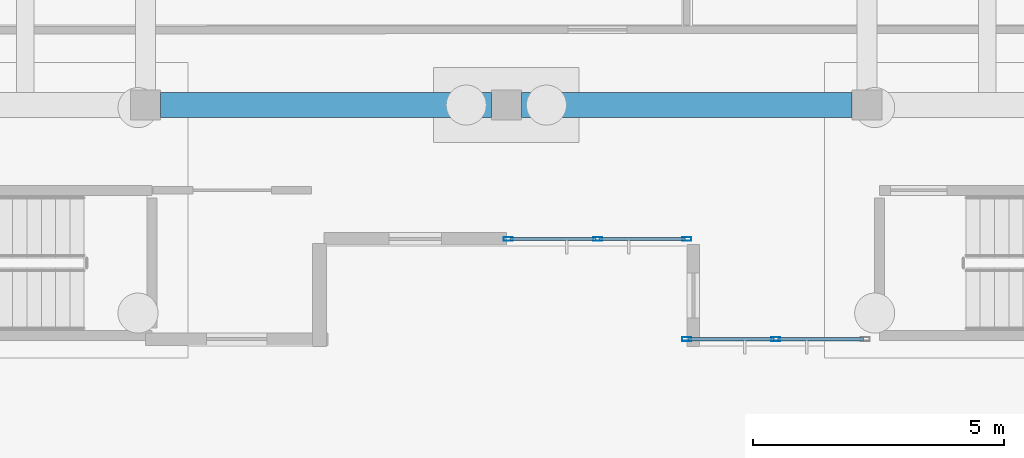
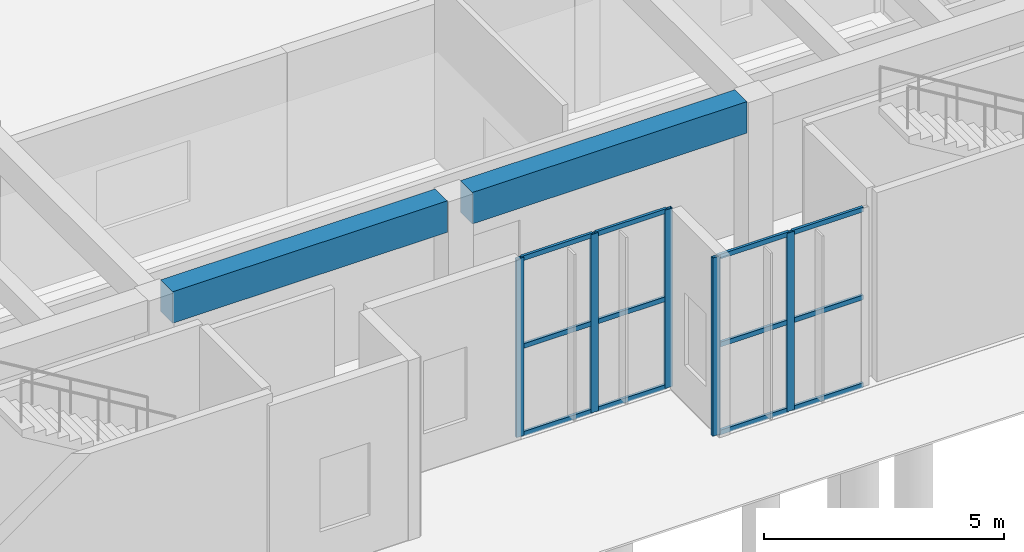
# One storey, part 35 of 155: 17 members, 2 beams, 2 elements without a shape of their own.
"""IFC4 building model written with IfcOpenShell, lengths in metres."""

from ifc_helpers import new_model, si_unit, direction, frame, origin, origin_2d, place, context, subcontext, project, spatial, rectangle, hollow_rectangle, extrude, material, material_profile, profile_set, type_object, element, aggregate, save


model = new_model("IFC4")

# Units and contexts
model_context = context("Model", 3, precision=1e-05, world=origin(), true_north=direction((0.0, 1.0)))
body_context = subcontext(model_context, "Body", "Model", "MODEL_VIEW")
ifc_project = project(units=[si_unit("LENGTHUNIT", "METRE"), si_unit("AREAUNIT", "SQUARE_METRE"), si_unit("VOLUMEUNIT", "CUBIC_METRE"), si_unit("PLANEANGLEUNIT", "RADIAN"), si_unit("MASSUNIT", "GRAM", prefix="KILO")], contexts=[model_context])

# Site, building, storey
site_placement = place(None, origin())
site = spatial("IfcSite", under=ifc_project, at=site_placement, CompositionType="ELEMENT")
building_placement = place(site_placement, origin())
building = spatial("IfcBuilding", under=site, at=building_placement, Name="Bramvelor Terrace Health Centre", CompositionType="ELEMENT")
storey_placement = place(building_placement, origin())
storey = spatial("IfcBuildingStorey", under=building, at=storey_placement, Name="L01", CompositionType="ELEMENT", Elevation=0.0)

# Beams
ifc_material_1 = material(Name="Concrete C40/50", Category="concrete")
ifc_material_profile_1 = material_profile(ifc_material_1, rectangle(XDim=0.5, YDim=0.800048828125, at=origin_2d()), Name="RC 500x800")
ifc_profile_set_1 = profile_set([ifc_material_profile_1], Name="Concrete C40/50")
beam_type = type_object("IfcBeamType", Name="BM-RC-G800", PredefinedType="BEAM", material=ifc_profile_set_1)
for number, where, z_axis, x_axis, name in (
    (1, (65.10009765625, 7.199951171875, 4.215087890625), (1.0, 0.0, 0.0), (0.0, 1.0, 0.0), "L01 Floor Girder"),
    (2, (72.300048828125, 7.199951171875, 4.215087890625), (1.0, 0.0, 0.0), (0.0, 1.0, 0.0), "L01 Floor Girder"),
):
    element("IfcBeam", number, at=place(storey_placement, frame(where, z_axis=z_axis, x_axis=x_axis)), inside=storey, type_object=beam_type, Name=name, PredefinedType="BEAM", context=body_context, shape_type="SweptSolid", body=[
        extrude(rectangle(XDim=0.5, YDim=0.800048828125, at=origin_2d()), origin(), (0.0, 0.0, 1.0), 6.599853515625),
    ])

# Curtain wall, members
ifc_material_2 = material(Name="Anodized aluminium and double low-E glass", Category="aluminium")
curtain_wall_type = type_object("IfcCurtainWallType", Name="CW-SYS-08", PredefinedType="NOTDEFINED", material=ifc_material_2)
curtain_wall_1_placement = place(storey_placement, origin())
curtain_wall_1 = element("IfcCurtainWall", 3, at=curtain_wall_1_placement, inside=storey, type_object=curtain_wall_type, Name="L01 Unitized Curtain Wall 54", PredefinedType="NOTDEFINED")
ifc_material_3 = material(Name="Anodized aluminium 6063-T6", Category="aluminium")
ifc_material_profile_2 = material_profile(ifc_material_3, hollow_rectangle(XDim=0.074951171875, YDim=0.179931640625, WallThickness=0.00341796875, at=origin_2d()), Name="ALU-MUL 75x180x3.5")
ifc_profile_set_2 = profile_set([ifc_material_profile_2], Name="Anodized aluminium 6063-T6")
member_type_1 = type_object("IfcMemberType", Name="CW-MUL-65x180", PredefinedType="MULLION", material=ifc_profile_set_2)
member_1_placement = place(storey_placement, frame((77.3798828125, 2.530029296875, 0.0), z_axis=(0.0, 0.0, 1.0), x_axis=(0.0, -1.0, 0.0)))
member_1 = element("IfcMember", 4, at=member_1_placement, type_object=member_type_1, Name="CW-08 mullion 2", PredefinedType="MULLION", context=body_context, shape_type="SweptSolid", body=[
    extrude(hollow_rectangle(XDim=0.074951171875, YDim=0.179931640625, WallThickness=0.00341796875, at=origin_2d()), origin(), (0.0, 0.0, 1.0), 4.530029296875),
])
member_2_placement = place(storey_placement, frame((75.597412109375, 2.530029296875, 0.0), z_axis=(0.0, 0.0, 1.0), x_axis=(0.0, -1.0, 0.0)))
member_2 = element("IfcMember", 5, at=member_2_placement, type_object=member_type_1, Name="CW-08 mullion 3", PredefinedType="MULLION", context=body_context, shape_type="SweptSolid", body=[
    extrude(hollow_rectangle(XDim=0.074951171875, YDim=0.179931640625, WallThickness=0.00341796875, at=origin_2d()), origin(), (0.0, 0.0, 1.0), 4.530029296875),
])

curtain_wall_2_placement = place(storey_placement, origin())
curtain_wall_2 = element("IfcCurtainWall", 6, at=curtain_wall_2_placement, inside=storey, type_object=curtain_wall_type, Name="L01 Unitized Curtain Wall 55", PredefinedType="NOTDEFINED")
member_3_placement = place(storey_placement, frame((75.6025390625, 4.530029296875, 0.0), z_axis=(0.0, 0.0, 1.0), x_axis=(0.0, -1.0, 0.0)))
member_3 = element("IfcMember", 7, at=member_3_placement, type_object=member_type_1, Name="CW-08 mullion 1", PredefinedType="MULLION", context=body_context, shape_type="SweptSolid", body=[
    extrude(hollow_rectangle(XDim=0.074951171875, YDim=0.179931640625, WallThickness=0.00341796875, at=origin_2d()), origin(), (0.0, 0.0, 1.0), 4.530029296875),
])
member_4_placement = place(storey_placement, frame((73.820068359375, 4.530029296875, 0.0), z_axis=(0.0, 0.0, 1.0), x_axis=(0.0, -1.0, 0.0)))
member_4 = element("IfcMember", 8, at=member_4_placement, type_object=member_type_1, Name="CW-08 mullion 2", PredefinedType="MULLION", context=body_context, shape_type="SweptSolid", body=[
    extrude(hollow_rectangle(XDim=0.074951171875, YDim=0.179931640625, WallThickness=0.00341796875, at=origin_2d()), origin(), (0.0, 0.0, 1.0), 4.530029296875),
])
member_5_placement = place(storey_placement, frame((72.03759765625, 4.530029296875, 0.0), z_axis=(0.0, 0.0, 1.0), x_axis=(0.0, -1.0, 0.0)))
member_5 = element("IfcMember", 9, at=member_5_placement, type_object=member_type_1, Name="CW-08 mullion 3", PredefinedType="MULLION", context=body_context, shape_type="SweptSolid", body=[
    extrude(hollow_rectangle(XDim=0.074951171875, YDim=0.179931640625, WallThickness=0.00341796875, at=origin_2d()), origin(), (0.0, 0.0, 1.0), 4.530029296875),
])

# Member
ifc_material_4 = material(Name="Anodized aluminium 6063-T6", Category="aluminium")
ifc_material_profile_3 = material_profile(ifc_material_4, hollow_rectangle(XDim=0.06494140625, YDim=0.1201171875, WallThickness=0.0029296875, at=origin_2d()), Name="ALU-TRN 65x120x3.0")
ifc_profile_set_3 = profile_set([ifc_material_profile_3], Name="Anodized aluminium 6063-T6")
member_type_2 = type_object("IfcMemberType", Name="CW-TRN-65x150", PredefinedType="USERDEFINED", material=ifc_profile_set_3)
member_6_placement = place(storey_placement, frame((79.125, 2.530029296875, 0.032470703125), z_axis=(-1.0, 0.0, 0.0), x_axis=(0.0, -1.0, 0.0)))
member_6 = element("IfcMember", 10, at=member_6_placement, type_object=member_type_2, Name="CW-08 transom 1.1", ObjectType="TRANSOM", PredefinedType="USERDEFINED", context=body_context, shape_type="SweptSolid", body=[
    extrude(hollow_rectangle(XDim=0.06494140625, YDim=0.1201171875, WallThickness=0.0029296875, at=origin_2d()), origin(), (0.0, 0.0, 1.0), 1.70751953125),
])

member_7_placement = place(storey_placement, frame((79.125, 2.530029296875, 2.264892578125), z_axis=(-1.0, 0.0, 0.0), x_axis=(0.0, -1.0, 0.0)))
member_7 = element("IfcMember", 11, at=member_7_placement, type_object=member_type_2, Name="CW-08 transom 1.2", ObjectType="TRANSOM", PredefinedType="USERDEFINED", context=body_context, shape_type="SweptSolid", body=[
    extrude(hollow_rectangle(XDim=0.06494140625, YDim=0.1201171875, WallThickness=0.0029296875, at=origin_2d()), origin(), (0.0, 0.0, 1.0), 1.70751953125),
])

member_8_placement = place(storey_placement, frame((79.125, 2.530029296875, 4.49755859375), z_axis=(-1.0, 0.0, 0.0), x_axis=(0.0, -1.0, 0.0)))
member_8 = element("IfcMember", 12, at=member_8_placement, type_object=member_type_2, Name="CW-08 transom 1.3", ObjectType="TRANSOM", PredefinedType="USERDEFINED", context=body_context, shape_type="SweptSolid", body=[
    extrude(hollow_rectangle(XDim=0.06494140625, YDim=0.1201171875, WallThickness=0.0029296875, at=origin_2d()), origin(), (0.0, 0.0, 1.0), 1.70751953125),
])

member_9_placement = place(storey_placement, frame((77.342529296875, 2.530029296875, 0.032470703125), z_axis=(-1.0, 0.0, 0.0), x_axis=(0.0, -1.0, 0.0)))
member_9 = element("IfcMember", 13, at=member_9_placement, type_object=member_type_2, Name="CW-08 transom 2.1", ObjectType="TRANSOM", PredefinedType="USERDEFINED", context=body_context, shape_type="SweptSolid", body=[
    extrude(hollow_rectangle(XDim=0.06494140625, YDim=0.1201171875, WallThickness=0.0029296875, at=origin_2d()), origin(), (0.0, 0.0, 1.0), 1.70751953125),
])

member_10_placement = place(storey_placement, frame((77.342529296875, 2.530029296875, 2.264892578125), z_axis=(-1.0, 0.0, 0.0), x_axis=(0.0, -1.0, 0.0)))
member_10 = element("IfcMember", 14, at=member_10_placement, type_object=member_type_2, Name="CW-08 transom 2.2", ObjectType="TRANSOM", PredefinedType="USERDEFINED", context=body_context, shape_type="SweptSolid", body=[
    extrude(hollow_rectangle(XDim=0.06494140625, YDim=0.1201171875, WallThickness=0.0029296875, at=origin_2d()), origin(), (0.0, 0.0, 1.0), 1.70751953125),
])

member_11_placement = place(storey_placement, frame((77.342529296875, 2.530029296875, 4.49755859375), z_axis=(-1.0, 0.0, 0.0), x_axis=(0.0, -1.0, 0.0)))
member_11 = element("IfcMember", 15, at=member_11_placement, type_object=member_type_2, Name="CW-08 transom 2.3", ObjectType="TRANSOM", PredefinedType="USERDEFINED", context=body_context, shape_type="SweptSolid", body=[
    extrude(hollow_rectangle(XDim=0.06494140625, YDim=0.1201171875, WallThickness=0.0029296875, at=origin_2d()), origin(), (0.0, 0.0, 1.0), 1.70751953125),
])

aggregate(curtain_wall_1, [member_1, member_2, member_6, member_7, member_8, member_9, member_10, member_11])

member_12_placement = place(storey_placement, frame((75.56494140625, 4.530029296875, 0.032470703125), z_axis=(-1.0, 0.0, 0.0), x_axis=(0.0, -1.0, 0.0)))
member_12 = element("IfcMember", 16, at=member_12_placement, type_object=member_type_2, Name="CW-08 transom 1.1", ObjectType="TRANSOM", PredefinedType="USERDEFINED", context=body_context, shape_type="SweptSolid", body=[
    extrude(hollow_rectangle(XDim=0.06494140625, YDim=0.1201171875, WallThickness=0.0029296875, at=origin_2d()), origin(), (0.0, 0.0, 1.0), 1.70751953125),
])

member_13_placement = place(storey_placement, frame((75.56494140625, 4.530029296875, 2.264892578125), z_axis=(-1.0, 0.0, 0.0), x_axis=(0.0, -1.0, 0.0)))
member_13 = element("IfcMember", 17, at=member_13_placement, type_object=member_type_2, Name="CW-08 transom 1.2", ObjectType="TRANSOM", PredefinedType="USERDEFINED", context=body_context, shape_type="SweptSolid", body=[
    extrude(hollow_rectangle(XDim=0.06494140625, YDim=0.1201171875, WallThickness=0.0029296875, at=origin_2d()), origin(), (0.0, 0.0, 1.0), 1.70751953125),
])

member_14_placement = place(storey_placement, frame((75.56494140625, 4.530029296875, 4.49755859375), z_axis=(-1.0, 0.0, 0.0), x_axis=(0.0, -1.0, 0.0)))
member_14 = element("IfcMember", 18, at=member_14_placement, type_object=member_type_2, Name="CW-08 transom 1.3", ObjectType="TRANSOM", PredefinedType="USERDEFINED", context=body_context, shape_type="SweptSolid", body=[
    extrude(hollow_rectangle(XDim=0.06494140625, YDim=0.1201171875, WallThickness=0.0029296875, at=origin_2d()), origin(), (0.0, 0.0, 1.0), 1.70751953125),
])

member_15_placement = place(storey_placement, frame((73.782470703125, 4.530029296875, 0.032470703125), z_axis=(-1.0, 0.0, 0.0), x_axis=(0.0, -1.0, 0.0)))
member_15 = element("IfcMember", 19, at=member_15_placement, type_object=member_type_2, Name="CW-08 transom 2.1", ObjectType="TRANSOM", PredefinedType="USERDEFINED", context=body_context, shape_type="SweptSolid", body=[
    extrude(hollow_rectangle(XDim=0.06494140625, YDim=0.1201171875, WallThickness=0.0029296875, at=origin_2d()), origin(), (0.0, 0.0, 1.0), 1.70751953125),
])

member_16_placement = place(storey_placement, frame((73.782470703125, 4.530029296875, 2.264892578125), z_axis=(-1.0, 0.0, 0.0), x_axis=(0.0, -1.0, 0.0)))
member_16 = element("IfcMember", 20, at=member_16_placement, type_object=member_type_2, Name="CW-08 transom 2.2", ObjectType="TRANSOM", PredefinedType="USERDEFINED", context=body_context, shape_type="SweptSolid", body=[
    extrude(hollow_rectangle(XDim=0.06494140625, YDim=0.1201171875, WallThickness=0.0029296875, at=origin_2d()), origin(), (0.0, 0.0, 1.0), 1.70751953125),
])

member_17_placement = place(storey_placement, frame((73.782470703125, 4.530029296875, 4.49755859375), z_axis=(-1.0, 0.0, 0.0), x_axis=(0.0, -1.0, 0.0)))
member_17 = element("IfcMember", 21, at=member_17_placement, type_object=member_type_2, Name="CW-08 transom 2.3", ObjectType="TRANSOM", PredefinedType="USERDEFINED", context=body_context, shape_type="SweptSolid", body=[
    extrude(hollow_rectangle(XDim=0.06494140625, YDim=0.1201171875, WallThickness=0.0029296875, at=origin_2d()), origin(), (0.0, 0.0, 1.0), 1.70751953125),
])

aggregate(curtain_wall_2, [member_3, member_4, member_5, member_12, member_13, member_14, member_15, member_16, member_17])

save(model, "model.ifc")
